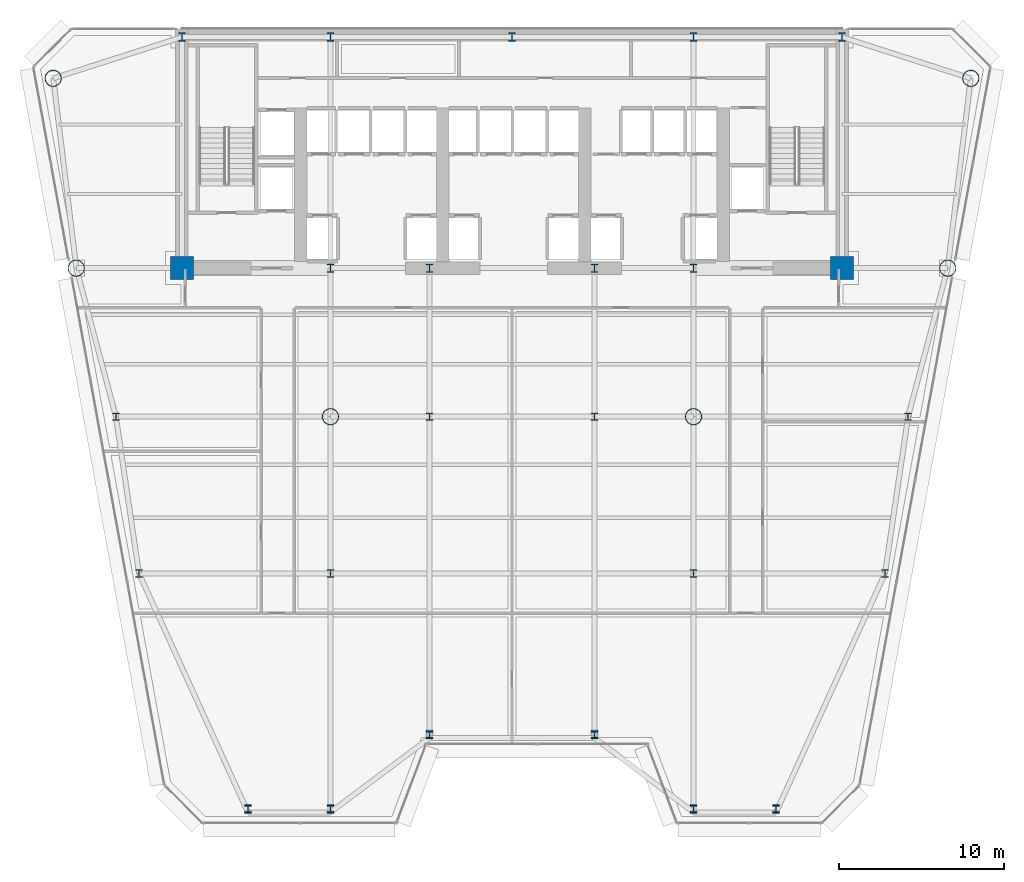
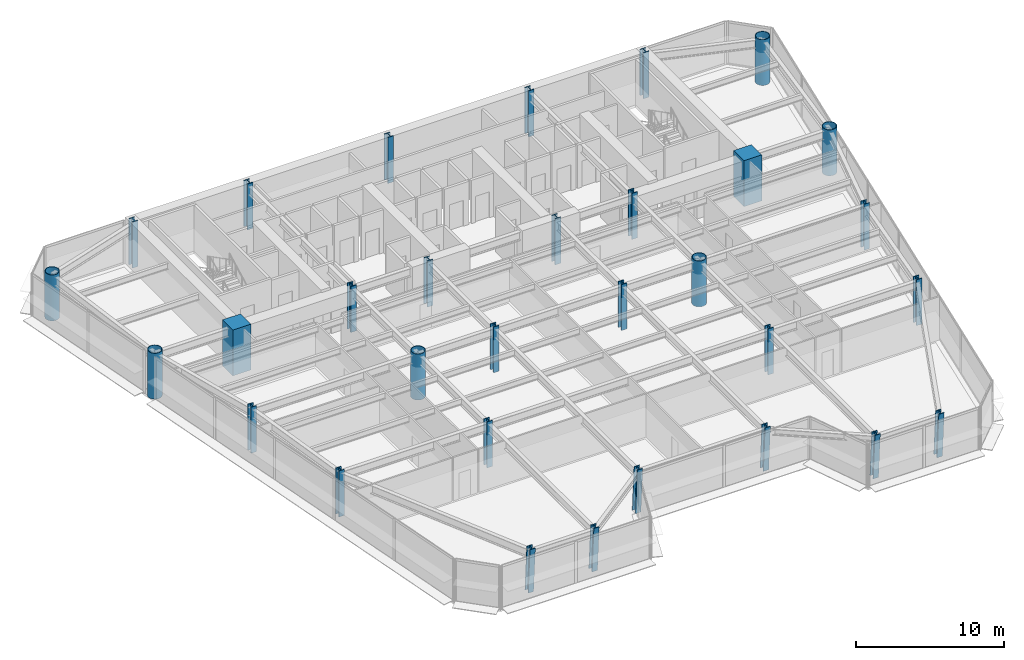
# One storey, part 1 of 14: 31 columns.
"""IFC4 building model written with IfcOpenShell, lengths in metres."""

from ifc_helpers import new_model, si_unit, direction, frame, origin, origin_2d, place, context, subcontext, project, spatial, rectangle, hollow_circle, i_section, extrude, source, transform, mapped, material, material_profile, profile_set, type_object, element, save


model = new_model("IFC4")

# Units and contexts
model_context = context("Model", 3, precision=1e-05, world=origin(), true_north=direction((0.0, 1.0)))
body_context = subcontext(model_context, "Body", "Model", "MODEL_VIEW")
ifc_project = project(units=[si_unit("LENGTHUNIT", "METRE"), si_unit("AREAUNIT", "SQUARE_METRE"), si_unit("VOLUMEUNIT", "CUBIC_METRE"), si_unit("PLANEANGLEUNIT", "RADIAN"), si_unit("MASSUNIT", "GRAM", prefix="KILO")], contexts=[model_context])

# Site, building, storey
site_placement = place(None, origin())
site = spatial("IfcSite", under=ifc_project, at=site_placement, CompositionType="ELEMENT")
building_placement = place(site_placement, origin())
building = spatial("IfcBuilding", under=site, at=building_placement, Name="Vaeldorn Concourse Tower", CompositionType="ELEMENT")
storey_placement = place(building_placement, frame((0.0, 0.0, 99.60009765625)))
storey = spatial("IfcBuildingStorey", under=building, at=storey_placement, Name="L25", CompositionType="ELEMENT", Elevation=99.60009765625)

# Columns
ifc_material_1 = material(Name="Concrete C60/75", Category="concrete")
ifc_material_profile_1 = material_profile(ifc_material_1, rectangle(XDim=1.39990234375, YDim=1.39990234375, at=origin_2d()), Name="RC 1400x1400")
ifc_profile_set_1 = profile_set([ifc_material_profile_1], Name="Concrete C60/75")
column_type_1 = type_object("IfcColumnType", Name="COL-RC1400", PredefinedType="COLUMN", material=ifc_profile_set_1)
shared_shape_1 = source(origin(), body_context, "Body", "SweptSolid", [
    extrude(rectangle(XDim=1.39990234375, YDim=1.39990234375, at=origin_2d()), origin(), (0.0, 0.0, 1.0), 3.7998046875),
])
for number, where, z_axis, x_axis, name in (
    (1, (14.0, 36.5, 0.0), (0.0, 0.0, 1.0), (1.0, 0.0, 0.0), "Column C-FC1 L25"),
    (2, (54.0, 36.5, 0.0), (0.0, 0.0, 1.0), (1.0, 0.0, 0.0), "Column C-FC6 L25"),
):
    element("IfcColumn", number, at=place(storey_placement, frame(where, z_axis=z_axis, x_axis=x_axis)), inside=storey, type_object=column_type_1, Name=name, PredefinedType="COLUMN", context=body_context, shape_type="MappedRepresentation", body=[
        mapped(shared_shape_1, transform((0.0, 0.0, 0.0), scale=1.0)),
    ])
ifc_material_2 = material(Name="Steel S460", Category="steel")
ifc_material_profile_2 = material_profile(ifc_material_2, i_section(OverallWidth=0.44189453125, OverallDepth=0.531005859375, WebThickness=0.06494140625, FlangeThickness=0.075927734375, FilletRadius=0.014892578125, at=origin_2d()), Name="HD 400x900")
ifc_profile_set_2 = profile_set([ifc_material_profile_2], Name="Steel S460")
column_type_2 = type_object("IfcColumnType", Name="COL-HD900", PredefinedType="COLUMN", material=ifc_profile_set_2)
shared_shape_2 = source(origin(), body_context, "Body", "SweptSolid", [
    extrude(i_section(OverallWidth=0.44189453125, OverallDepth=0.531005859375, WebThickness=0.06494140625, FlangeThickness=0.075927734375, FilletRadius=0.014892578125, at=origin_2d()), origin(), (0.0, 0.0, 1.0), 3.7998046875),
])
for number, where, z_axis, x_axis, name in (
    (3, (23.0, 36.5, 0.0), (0.0, 0.0, 1.0), (1.0, 0.0, 0.0), "Column C-FC2 L25"),
    (4, (29.0, 36.5, 0.0), (0.0, 0.0, 1.0), (1.0, 0.0, 0.0), "Column C-FC3 L25"),
    (5, (39.0, 36.5, 0.0), (0.0, 0.0, 1.0), (1.0, 0.0, 0.0), "Column C-FC4 L25"),
    (6, (45.0, 36.5, 0.0), (0.0, 0.0, 1.0), (1.0, 0.0, 0.0), "Column C-FC5 L25"),
    (7, (14.0, 50.5, 0.0), (0.0, 0.0, 1.0), (1.0, 0.0, 0.0), "Column C-HC1 L25"),
    (8, (23.0, 50.5, 0.0), (0.0, 0.0, 1.0), (1.0, 0.0, 0.0), "Column C-HC2 L25"),
    (9, (34.0, 50.5, 0.0), (0.0, 0.0, 1.0), (1.0, 0.0, 0.0), "Column C-HC3 L25"),
    (10, (45.0, 50.5, 0.0), (0.0, 0.0, 1.0), (1.0, 0.0, 0.0), "Column C-HC4 L25"),
    (11, (54.0, 50.5, 0.0), (0.0, 0.0, 1.0), (1.0, 0.0, 0.0), "Column C-HC5 L25"),
):
    element("IfcColumn", number, at=place(storey_placement, frame(where, z_axis=z_axis, x_axis=x_axis)), inside=storey, type_object=column_type_2, Name=name, PredefinedType="COLUMN", context=body_context, shape_type="MappedRepresentation", body=[
        mapped(shared_shape_2, transform((0.0, 0.0, 0.0), scale=1.0)),
    ])
ifc_material_profile_3 = material_profile(ifc_material_2, hollow_circle(Radius=0.508056640625, WallThickness=0.044921875, at=origin_2d()), Name="CHS 1016x45")
ifc_profile_set_3 = profile_set([ifc_material_profile_3], Name="Steel S460")
column_type_3 = type_object("IfcColumnType", Name="COL-CHS1016", PredefinedType="COLUMN", material=ifc_profile_set_3)
shared_shape_3 = source(origin(), body_context, "Body", "SweptSolid", [
    extrude(hollow_circle(Radius=0.508056640625, WallThickness=0.044921875, at=origin_2d()), origin(), (0.0, 0.0, 1.0), 3.7998046875),
])
for number, where, z_axis, x_axis, name in (
    (12, (6.199951171875, 48.0, 0.0), (0.0, 0.0, 1.0), (1.0, 0.0, 0.0), "Column C-NW1 L25"),
    (13, (7.60009765625, 36.5, 0.0), (0.0, 0.0, 1.0), (1.0, 0.0, 0.0), "Column C-NW2 L25"),
    (14, (61.800048828125, 48.0, 0.0), (0.0, 0.0, 1.0), (1.0, 0.0, 0.0), "Column C-NE1 L25"),
    (15, (60.39990234375, 36.5, 0.0), (0.0, 0.0, 1.0), (1.0, 0.0, 0.0), "Column C-NE2 L25"),
    (16, (23.0, 27.5, 0.0), (0.0, 0.0, 1.0), (1.0, 0.0, 0.0), "Column C-TW1 L25"),
    (17, (45.0, 27.5, 0.0), (0.0, 0.0, 1.0), (1.0, 0.0, 0.0), "Column C-TW4 L25"),
):
    element("IfcColumn", number, at=place(storey_placement, frame(where, z_axis=z_axis, x_axis=x_axis)), inside=storey, type_object=column_type_3, Name=name, PredefinedType="COLUMN", context=body_context, shape_type="MappedRepresentation", body=[
        mapped(shared_shape_3, transform((0.0, 0.0, 0.0), scale=1.0)),
    ])
ifc_material_profile_4 = material_profile(ifc_material_2, i_section(OverallWidth=0.424072265625, OverallDepth=0.47412109375, WebThickness=0.047119140625, FlangeThickness=0.06494140625, FilletRadius=0.014892578125, at=origin_2d()), Name="HD 400x634")
ifc_profile_set_4 = profile_set([ifc_material_profile_4], Name="Steel S460")
column_type_4 = type_object("IfcColumnType", Name="COL-HD634F", PredefinedType="COLUMN", material=ifc_profile_set_4)
shared_shape_4 = source(origin(), body_context, "Body", "SweptSolid", [
    extrude(i_section(OverallWidth=0.424072265625, OverallDepth=0.47412109375, WebThickness=0.047119140625, FlangeThickness=0.06494140625, FilletRadius=0.014892578125, at=origin_2d()), origin(), (0.0, 0.0, 1.0), 3.7998046875),
])
for number, where, z_axis, x_axis, name in (
    (18, (10.0, 27.5, 0.0), (0.0, 0.0, 1.0), (1.0, 0.0, 0.0), "Column C-FLW1 L25"),
    (19, (11.39990234375, 18.0, 0.0), (0.0, 0.0, 1.0), (1.0, 0.0, 0.0), "Column C-FLW2 L25"),
    (20, (58.0, 27.5, 0.0), (0.0, 0.0, 1.0), (1.0, 0.0, 0.0), "Column C-FLE1 L25"),
    (21, (56.60009765625, 18.0, 0.0), (0.0, 0.0, 1.0), (1.0, 0.0, 0.0), "Column C-FLE2 L25"),
):
    element("IfcColumn", number, at=place(storey_placement, frame(where, z_axis=z_axis, x_axis=x_axis)), inside=storey, type_object=column_type_4, Name=name, PredefinedType="COLUMN", context=body_context, shape_type="MappedRepresentation", body=[
        mapped(shared_shape_4, transform((0.0, 0.0, 0.0), scale=1.0)),
    ])
ifc_material_profile_5 = material_profile(ifc_material_2, i_section(OverallWidth=0.424072265625, OverallDepth=0.47412109375, WebThickness=0.047119140625, FlangeThickness=0.06494140625, FilletRadius=0.014892578125, at=origin_2d()), Name="HD 400x634")
ifc_profile_set_5 = profile_set([ifc_material_profile_5], Name="Steel S460")
column_type_5 = type_object("IfcColumnType", Name="COL-HD634T", PredefinedType="COLUMN", material=ifc_profile_set_5)
shared_shape_5 = source(origin(), body_context, "Body", "SweptSolid", [
    extrude(i_section(OverallWidth=0.424072265625, OverallDepth=0.47412109375, WebThickness=0.047119140625, FlangeThickness=0.06494140625, FilletRadius=0.014892578125, at=origin_2d()), origin(), (0.0, 0.0, 1.0), 3.7998046875),
])
for number, where, z_axis, x_axis, name in (
    (22, (29.0, 27.5, 0.0), (0.0, 0.0, 1.0), (1.0, 0.0, 0.0), "Column C-TW2 L25"),
    (23, (39.0, 27.5, 0.0), (0.0, 0.0, 1.0), (1.0, 0.0, 0.0), "Column C-TW3 L25"),
    (24, (23.0, 18.0, 0.0), (0.0, 0.0, 1.0), (1.0, 0.0, 0.0), "Column C-TW5 L25"),
    (25, (45.0, 18.0, 0.0), (0.0, 0.0, 1.0), (1.0, 0.0, 0.0), "Column C-TW6 L25"),
):
    element("IfcColumn", number, at=place(storey_placement, frame(where, z_axis=z_axis, x_axis=x_axis)), inside=storey, type_object=column_type_5, Name=name, PredefinedType="COLUMN", context=body_context, shape_type="MappedRepresentation", body=[
        mapped(shared_shape_5, transform((0.0, 0.0, 0.0), scale=1.0)),
    ])
shared_shape_6 = source(origin(), body_context, "Body", "SweptSolid", [
    extrude(i_section(OverallWidth=0.424072265625, OverallDepth=0.47412109375, WebThickness=0.047119140625, FlangeThickness=0.06494140625, FilletRadius=0.014892578125, at=origin_2d()), origin(), (0.0, 0.0, 1.0), 3.743408203125),
])
for number, where, z_axis, x_axis, name in (
    (26, (18.0, 3.768798828125, 0.031982421875), (0.0, -0.06384802516, 0.997959633293), (1.0, 0.0, 0.0), "Column C-SF1 L25"),
    (27, (23.0, 3.768798828125, 0.031982421875), (0.0, -0.06384802516, 0.997959633293), (1.0, 0.0, 0.0), "Column C-SF2 L25"),
    (28, (29.0, 8.268798828125, 0.031982421875), (0.0, -0.06384802516, 0.997959633293), (1.0, 0.0, 0.0), "Column C-SF3 L25"),
    (29, (39.0, 8.268798828125, 0.031982421875), (0.0, -0.06384802516, 0.997959633293), (1.0, 0.0, 0.0), "Column C-SF4 L25"),
    (30, (45.0, 3.768798828125, 0.031982421875), (0.0, -0.06384802516, 0.997959633293), (1.0, 0.0, 0.0), "Column C-SF5 L25"),
    (31, (50.0, 3.768798828125, 0.031982421875), (0.0, -0.06384802516, 0.997959633293), (1.0, 0.0, 0.0), "Column C-SF6 L25"),
):
    element("IfcColumn", number, at=place(storey_placement, frame(where, z_axis=z_axis, x_axis=x_axis)), inside=storey, type_object=column_type_5, Name=name, PredefinedType="COLUMN", context=body_context, shape_type="MappedRepresentation", body=[
        mapped(shared_shape_6, transform((0.0, 0.0, 0.0), scale=1.0)),
    ])

save(model, "model.ifc")
